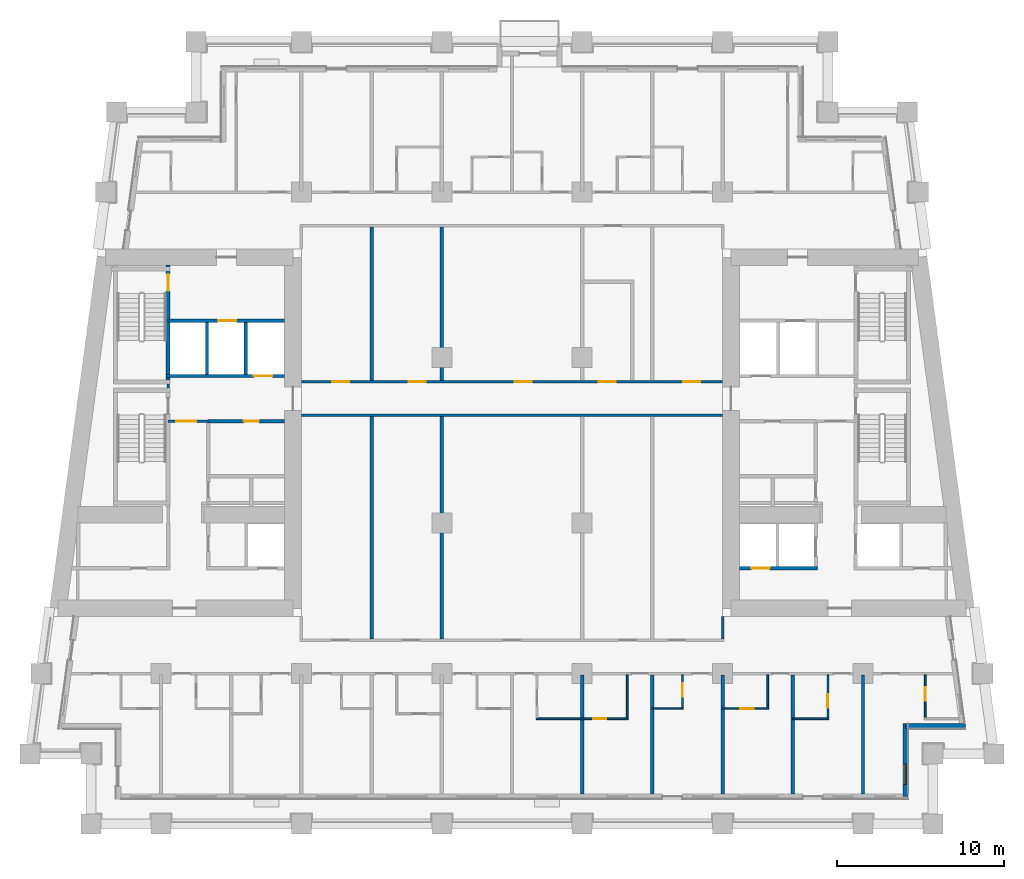
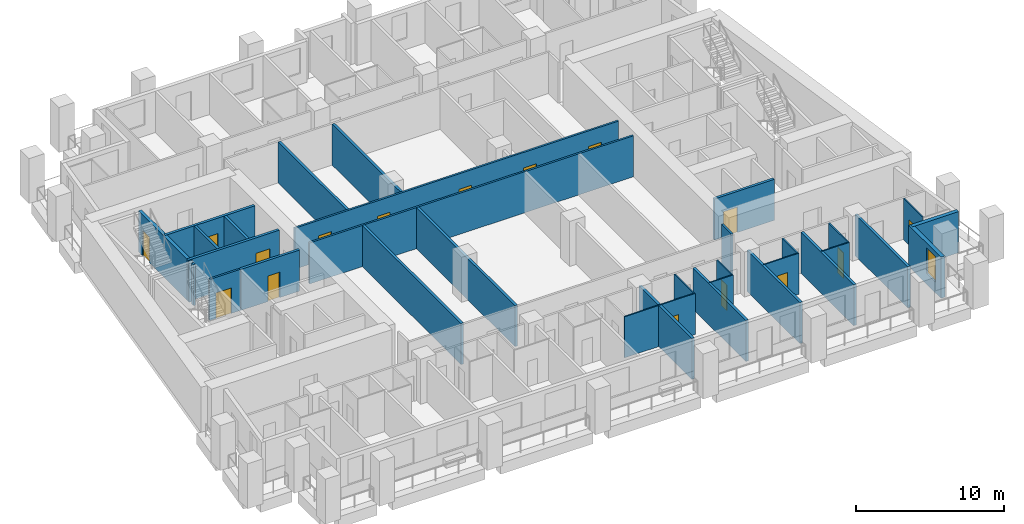
# One storey, part 5 of 14: 32 walls, 16 doors, 1 window, 17 openings.
"""IFC4 building model written with IfcOpenShell, lengths in metres."""

import ifcopenshell
import ifcopenshell.guid

model = None  # the IFC model being written
_history = None  # IfcOwnerHistory: only IFC2X3 demands one
_inside = {}  # id of a spatial element -> (the spatial element, [elements in it])
_under = {}  # id of a project, library or spatial element -> (it, [spatial elements below it])
_declared = {}  # id of a project -> (the project, [libraries it declares])
_typed = {}  # id of a type object -> (the type object, [elements of that type])
_made_of = {}  # id of a material, layer set ... -> (it, [elements and type objects made of it])


def new_model(schema):
    """Start an empty IFC model of exactly this schema.

    Asked for "IFC4X3", IfcOpenShell would pick the latest addendum, in which some entities
    have other attributes; the version numbers below select the first issue.
    IFC2X3 requires an IfcOwnerHistory on every rooted entity: one is made here for all.
    """
    global model, _history
    if schema == "IFC4X3":
        model = ifcopenshell.file(schema_version=(4, 3, 0, 0))
    else:
        model = ifcopenshell.file(schema=schema)
    _inside.clear()
    _under.clear()
    _declared.clear()
    _typed.clear()
    _made_of.clear()
    _history = None
    if model.schema == "IFC2X3":
        org = make("IfcOrganization", Name="unknown")
        user = make(
            "IfcPersonAndOrganization",
            ThePerson=make("IfcPerson", FamilyName="unknown"),
            TheOrganization=org,
        )
        app = make(
            "IfcApplication",
            ApplicationDeveloper=org,
            Version="unknown",
            ApplicationFullName="unknown",
            ApplicationIdentifier="unknown",
        )
        _history = make(
            "IfcOwnerHistory",
            OwningUser=user,
            OwningApplication=app,
            ChangeAction="ADDED",
            CreationDate=0,
        )
    return model


def make(cls, **values):
    """One entity of the class cls with the attributes given. An attribute that is None is left unset."""
    return model.create_entity(
        cls, **{name: value for name, value in values.items() if value is not None}
    )


def rooted(cls, **values):
    """An entity with a GlobalId (a new one), such as an element, a storey or a relation."""
    return make(cls, GlobalId=ifcopenshell.guid.new(), OwnerHistory=_history, **values)


def si_unit(unit_type, name, prefix=None):
    """IfcSIUnit, for example si_unit("LENGTHUNIT", "METRE", prefix="MILLI")."""
    return make("IfcSIUnit", UnitType=unit_type, Prefix=prefix, Name=name)


def assignment(units):
    """IfcUnitAssignment: the units of a project."""
    return None if units is None else make("IfcUnitAssignment", Units=units)


def point(xyz):
    """IfcCartesianPoint."""
    return None if xyz is None else make("IfcCartesianPoint", Coordinates=xyz)


def direction(xyz):
    """IfcDirection."""
    return None if xyz is None else make("IfcDirection", DirectionRatios=xyz)


def frame(location, z_axis=None, x_axis=None):
    """IfcAxis2Placement3D, a coordinate frame: its origin and axes. An axis left out is left unset."""
    return make(
        "IfcAxis2Placement3D",
        Location=point(location),
        Axis=direction(z_axis),
        RefDirection=direction(x_axis),
    )


def frame_2d(location, x_axis=None):
    """IfcAxis2Placement2D, a coordinate frame in the plane: its origin and x axis."""
    return make(
        "IfcAxis2Placement2D", Location=point(location), RefDirection=direction(x_axis)
    )


def origin():
    """The frame at (0, 0, 0) with its axes left unset."""
    return frame((0.0, 0.0, 0.0))


def place(relative_to, where):
    """IfcLocalPlacement: puts the frame where relative to a parent placement (None: the world)."""
    return make(
        "IfcLocalPlacement", PlacementRelTo=relative_to, RelativePlacement=where
    )


def context(
    kind, dimensions, precision=None, world=None, true_north=None, identifier=None
):
    """IfcGeometricRepresentationContext, for example the 3D "Model" context."""
    return make(
        "IfcGeometricRepresentationContext",
        ContextIdentifier=identifier,
        ContextType=kind,
        CoordinateSpaceDimension=dimensions,
        Precision=precision,
        WorldCoordinateSystem=world,
        TrueNorth=true_north,
    )


def subcontext(parent, identifier, kind, view, scale=None):
    """IfcGeometricRepresentationSubContext, for example "Body" below "Model"."""
    return make(
        "IfcGeometricRepresentationSubContext",
        ContextIdentifier=identifier,
        ContextType=kind,
        ParentContext=parent,
        TargetScale=scale,
        TargetView=view,
    )


def project(units=None, contexts=None):
    """IfcProject with its units and contexts."""
    return rooted(
        "IfcProject",
        Name="project",
        RepresentationContexts=contexts,
        UnitsInContext=assignment(units),
    )


def spatial(cls, under=None, at=None, **own):
    """A site, building, storey or space (cls), placed at a placement, below another one or the project."""
    s = rooted(cls, ObjectPlacement=at, **own)
    if under is not None:
        _under.setdefault(under.id(), (under, []))[1].append(s)
    return s


def profile(cls, at=None, kind="AREA", **sizes):
    """A parametric profile (cls). Its sizes go by their IFC names, for example OverallWidth=200.0."""
    return make(cls, ProfileType=kind, Position=at, **sizes)


def rectangle(**sizes):
    """IfcRectangleProfileDef."""
    return profile("IfcRectangleProfileDef", **sizes)


def extrude(swept, where, along, depth):
    """IfcExtrudedAreaSolid: the profile swept, set in the frame where, extruded along a direction by depth."""
    return make(
        "IfcExtrudedAreaSolid",
        SweptArea=swept,
        Position=where,
        ExtrudedDirection=direction(along),
        Depth=depth,
    )


def shape(context_of_items, identifier, shape_type, items):
    """IfcShapeRepresentation: the items that make up one representation, for example the "Body"."""
    return make(
        "IfcShapeRepresentation",
        ContextOfItems=context_of_items,
        RepresentationIdentifier=identifier,
        RepresentationType=shape_type,
        Items=items,
    )


def material(Name=None, Category=None):
    """IfcMaterial."""
    return make("IfcMaterial", Name=Name, Category=Category)


def layer(
    of_material, thickness, ventilated=None, Name=None, Category=None, Priority=None
):
    """IfcMaterialLayer: one layer of a wall or slab, of a material (None: an air gap)."""
    return make(
        "IfcMaterialLayer",
        Material=of_material,
        LayerThickness=thickness,
        IsVentilated=ventilated,
        Name=Name,
        Category=Category,
        Priority=Priority,
    )


def layer_set(layers, Name=None):
    """IfcMaterialLayerSet."""
    return make("IfcMaterialLayerSet", MaterialLayers=layers, LayerSetName=Name)


def made_of(thing, what):
    """Note that an element or type object is made of a material, layer set ...; save() writes the relation."""
    if what is not None:
        _made_of.setdefault(what.id(), (what, []))[1].append(thing)
    return thing


def type_object(cls, material=None, **own):
    """A type object (cls), such as IfcWallType, which elements share."""
    return made_of(rooted(cls, **own), material)


def element(
    cls,
    number,
    at=None,
    inside=None,
    cuts=None,
    type_object=None,
    material=None,
    context=None,
    identifier="Body",
    shape_type=None,
    held_by="IfcProductDefinitionShape",
    body=None,
    shapes=None,
    **own,
):
    """One element of the class cls, such as IfcWall. Its Tag is "e" and its number.

    at: its placement. inside: the storey or other place that contains it. cuts: it is an
    opening in that element (IfcRelVoidsElement). A single representation is given by context,
    identifier, shape_type and body (its items); several are given by shapes. held_by: the class
    of the entity that holds the representations. save() writes the other relations.
    """
    e = rooted(cls, Tag="e%d" % number, ObjectPlacement=at, **own)
    if body is not None:
        shapes = [shape(context, identifier, shape_type, body)]
    if shapes is not None:
        e.Representation = make(held_by, Representations=shapes)
    if inside is not None:
        _inside.setdefault(inside.id(), (inside, []))[1].append(e)
    if cuts is not None:
        rooted(
            "IfcRelVoidsElement", RelatingBuildingElement=cuts, RelatedOpeningElement=e
        )
    if type_object is not None:
        _typed.setdefault(type_object.id(), (type_object, []))[1].append(e)
    return made_of(e, material)


def fill(opening, filler):
    """IfcRelFillsElement: the door or window that sits in an opening."""
    return rooted(
        "IfcRelFillsElement",
        RelatingOpeningElement=opening,
        RelatedBuildingElement=filler,
    )


def aggregate(whole, parts):
    """IfcRelAggregates: a whole, such as a stair, and the parts it consists of."""
    return rooted("IfcRelAggregates", RelatingObject=whole, RelatedObjects=parts)


def save(model, path):
    """Write the relations noted so far, then the file.

    IfcRelAggregates (storeys below a building ...), IfcRelContainedInSpatialStructure (elements
    in a storey), IfcRelDefinesByType, IfcRelAssociatesMaterial and IfcRelDeclares: one each for
    every whole, place, type object, material and project.
    """
    for whole, parts in _under.values():
        aggregate(whole, parts)
    for where, things in _inside.values():
        rooted(
            "IfcRelContainedInSpatialStructure",
            RelatedElements=things,
            RelatingStructure=where,
        )
    for kind, things in _typed.values():
        rooted("IfcRelDefinesByType", RelatedObjects=things, RelatingType=kind)
    for what, things in _made_of.values():
        rooted("IfcRelAssociatesMaterial", RelatedObjects=things, RelatingMaterial=what)
    for by, libraries in _declared.values():
        rooted("IfcRelDeclares", RelatingContext=by, RelatedDefinitions=libraries)
    model.write(path)


model = new_model("IFC4")

# Units and contexts
model_context = context("Model", 3, precision=1e-05, world=origin(), true_north=direction((0.0, 1.0)))
body_context = subcontext(model_context, "Body", "Model", "MODEL_VIEW")
ifc_project = project(units=[si_unit("LENGTHUNIT", "METRE"), si_unit("AREAUNIT", "SQUARE_METRE"), si_unit("VOLUMEUNIT", "CUBIC_METRE"), si_unit("PLANEANGLEUNIT", "RADIAN"), si_unit("MASSUNIT", "GRAM", prefix="KILO")], contexts=[model_context])

# Site, building, storey
site_placement = place(None, origin())
site = spatial("IfcSite", under=ifc_project, at=site_placement, CompositionType="ELEMENT")
building_placement = place(site_placement, origin())
building = spatial("IfcBuilding", under=site, at=building_placement, Name="Candeia Pilgrim Tower and Theatre", CompositionType="ELEMENT")
storey_placement = place(building_placement, frame((0.0, 0.0, 124.300048828125)))
storey = spatial("IfcBuildingStorey", under=building, at=storey_placement, Name="L29", CompositionType="ELEMENT", Elevation=124.300048828125)

# Wall, opening, window
ifc_material_1 = material(Name="Ceramic block masonry", Category="masonry")
ifc_layer_1 = layer(ifc_material_1, 0.300048828125)
ifc_layer_set_1 = layer_set([ifc_layer_1], Name="EW1 glazing-line wall 300")
wall_type_1 = type_object("IfcWallType", Name="EW1 glazing-line wall 300", PredefinedType="SOLIDWALL", material=ifc_layer_set_1)
wall_1_placement = place(storey_placement, frame((136.949951171875, 99.64990234375, 0.0), z_axis=(0.0, 0.0, 1.0), x_axis=(0.0, 1.0, 0.0)))
wall_1 = element("IfcWall", 1, at=wall_1_placement, inside=storey, type_object=wall_type_1, Name="External wall L29-1.0", PredefinedType="SOLIDWALL", context=body_context, shape_type="SweptSolid", body=[
    extrude(rectangle(XDim=4.35009765625, YDim=0.300048828125, at=frame_2d((2.175048828125, 0.0))), origin(), (0.0, 0.0, 1.0), 3.3798828125),
])
opening_1_placement = place(wall_1_placement, frame((0.72509765625, 0.0, 0.89990234375)))
opening_1 = element("IfcOpeningElement", 2, at=opening_1_placement, cuts=wall_1, Name="Opening W-B", PredefinedType="OPENING", context=body_context, shape_type="SweptSolid", body=[
    extrude(rectangle(XDim=1.199951171875, YDim=2.10009765625, at=frame_2d((0.60009765625, 1.050048828125))), frame((0.0, 0.16015625, 0.0), z_axis=(0.0, -1.0, 0.0), x_axis=(1.0, 0.0, 0.0)), (0.0, 0.0, 1.0), 0.320068359375),
])
ifc_material_2 = material(Name="Aluminium framed double glazing", Category="aluminium")
window_type = type_object("IfcWindowType", Name="W-B window 1200x2100", PartitioningType="SINGLE_PANEL", PredefinedType="WINDOW", material=ifc_material_2)
window_placement = place(opening_1_placement, origin())
window = element("IfcWindow", 3, at=window_placement, inside=storey, type_object=window_type, Name="Window W-B L29", OverallHeight=2.10009765625, OverallWidth=1.199951171875, PartitioningType="SINGLE_PANEL", PredefinedType="WINDOW", context=body_context, shape_type="SweptSolid", body=[
    extrude(rectangle(XDim=1.199951171875, YDim=2.10009765625, at=frame_2d((0.60009765625, 1.050048828125))), frame((0.0, 0.030029296875, 0.0), z_axis=(0.0, -1.0, 0.0), x_axis=(1.0, 0.0, 0.0)), (0.0, 0.0, 1.0), 0.06005859375),
])
fill(opening_1, window)

# Wall
wall_2_placement = place(storey_placement, frame((136.949951171875, 103.85009765625, 0.0), z_axis=(0.0, 0.0, 1.0), x_axis=(1.0, 0.0, 0.0)))
element("IfcWall", 4, at=wall_2_placement, inside=storey, type_object=wall_type_1, Name="External wall L29-2.0", PredefinedType="SOLIDWALL", context=body_context, shape_type="SweptSolid", body=[
    extrude(rectangle(XDim=3.569091796875, YDim=0.300048828125, at=frame_2d((1.78466796875, 0.0))), origin(), (0.0, 0.0, 1.0), 3.3798828125),
])

# Wall, opening, door
ifc_material_3 = material(Name="Gypsum board partition on steel studs", Category="steel")
ifc_layer_2 = layer(ifc_material_3, 0.10009765625)
ifc_layer_set_2 = layer_set([ifc_layer_2], Name="PW-100 room partition")
wall_type_2 = type_object("IfcWallType", Name="PW-100 room partition", PredefinedType="PARTITIONING", material=ifc_layer_set_2)
wall_3_placement = place(storey_placement, frame((114.85009765625, 104.300048828125, 0.0), z_axis=(0.0, 0.0, 1.0), x_axis=(1.0, 0.0, 0.0)))
wall_3 = element("IfcWall", 5, at=wall_3_placement, inside=storey, type_object=wall_type_2, Name="Room partition L29-001", PredefinedType="PARTITIONING", context=body_context, shape_type="SweptSolid", body=[
    extrude(rectangle(XDim=5.5, YDim=0.10009765625, at=frame_2d((2.75, 0.0))), origin(), (0.0, 0.0, 1.0), 3.3798828125),
])
opening_2_placement = place(wall_3_placement, frame((3.39990234375, 0.0, 0.0)))
opening_2 = element("IfcOpeningElement", 6, at=opening_2_placement, cuts=wall_3, Name="Opening L29-D029", PredefinedType="OPENING", context=body_context, shape_type="SweptSolid", body=[
    extrude(rectangle(XDim=0.800048828125, YDim=2.10009765625, at=frame_2d((0.39990234375, 1.050048828125))), frame((0.0, 0.06005859375, 0.0), z_axis=(0.0, -1.0, 0.0), x_axis=(1.0, 0.0, 0.0)), (0.0, 0.0, 1.0), 0.1201171875),
])
ifc_material_4 = material(Name="Timber door leaf", Category="wood")
door_type_1 = type_object("IfcDoorType", Name="D-800", OperationType="NOTDEFINED", PredefinedType="DOOR", material=ifc_material_4)
door_1_placement = place(opening_2_placement, origin())
door_1 = element("IfcDoor", 7, at=door_1_placement, inside=storey, type_object=door_type_1, Name="Door L29-D029", OperationType="SINGLE_SWING_RIGHT", OverallHeight=2.10009765625, OverallWidth=0.800048828125, PredefinedType="DOOR", context=body_context, shape_type="SweptSolid", body=[
    extrude(rectangle(XDim=0.800048828125, YDim=2.10009765625, at=frame_2d((0.39990234375, 1.050048828125))), frame((0.0, 0.02490234375, 0.0), z_axis=(0.0, -1.0, 0.0), x_axis=(1.0, 0.0, 0.0)), (0.0, 0.0, 1.0), 0.050048828125),
])
fill(opening_2, door_1)

# Walls
wall_4_placement = place(storey_placement, frame((130.199951171875, 104.300048828125, 0.0), z_axis=(0.0, 0.0, 1.0), x_axis=(1.0, 0.0, 0.0)))
element("IfcWall", 8, at=wall_4_placement, inside=storey, type_object=wall_type_2, Name="Room partition L29-002", PredefinedType="PARTITIONING", context=body_context, shape_type="SweptSolid", body=[
    extrude(rectangle(XDim=2.150146484375, YDim=0.10009765625, at=frame_2d((1.0751953125, 0.0))), origin(), (0.0, 0.0, 1.0), 3.3798828125),
])
wall_5_placement = place(storey_placement, frame((121.800048828125, 104.89990234375, 0.0), z_axis=(0.0, 0.0, 1.0), x_axis=(1.0, 0.0, 0.0)))
element("IfcWall", 9, at=wall_5_placement, inside=storey, type_object=wall_type_2, Name="Room partition L29-010", PredefinedType="PARTITIONING", context=body_context, shape_type="SweptSolid", body=[
    extrude(rectangle(XDim=1.849853515625, YDim=0.10009765625, at=frame_2d((0.9248046875, 0.0))), origin(), (0.0, 0.0, 1.0), 3.3798828125),
])

# Wall, opening, door
wall_6_placement = place(storey_placement, frame((126.0, 104.89990234375, 0.0), z_axis=(0.0, 0.0, 1.0), x_axis=(1.0, 0.0, 0.0)))
wall_6 = element("IfcWall", 10, at=wall_6_placement, inside=storey, type_object=wall_type_2, Name="Room partition L29-011", PredefinedType="PARTITIONING", context=body_context, shape_type="SweptSolid", body=[
    extrude(rectangle(XDim=2.75, YDim=0.10009765625, at=frame_2d((1.375, 0.0))), origin(), (0.0, 0.0, 1.0), 3.3798828125),
])
opening_3_placement = place(wall_6_placement, frame((1.070068359375, 0.0, 0.0)))
opening_3 = element("IfcOpeningElement", 11, at=opening_3_placement, cuts=wall_6, Name="Opening L29-D033", PredefinedType="OPENING", context=body_context, shape_type="SweptSolid", body=[
    extrude(rectangle(XDim=0.800048828125, YDim=2.10009765625, at=frame_2d((0.39990234375, 1.050048828125))), frame((0.0, 0.06005859375, 0.0), z_axis=(0.0, -1.0, 0.0), x_axis=(1.0, 0.0, 0.0)), (0.0, 0.0, 1.0), 0.1201171875),
])
door_2_placement = place(opening_3_placement, origin())
door_2 = element("IfcDoor", 12, at=door_2_placement, inside=storey, type_object=door_type_1, Name="Door L29-D033", OperationType="SINGLE_SWING_RIGHT", OverallHeight=2.10009765625, OverallWidth=0.800048828125, PredefinedType="DOOR", context=body_context, shape_type="SweptSolid", body=[
    extrude(rectangle(XDim=0.800048828125, YDim=2.10009765625, at=frame_2d((0.39990234375, 1.050048828125))), frame((0.0, 0.02490234375, 0.0), z_axis=(0.0, -1.0, 0.0), x_axis=(1.0, 0.0, 0.0)), (0.0, 0.0, 1.0), 0.050048828125),
])
fill(opening_3, door_2)

# Wall
wall_7_placement = place(storey_placement, frame((120.300048828125, 104.35009765625, 0.0), z_axis=(0.0, 0.0, 1.0), x_axis=(0.0, 1.0, 0.0)))
element("IfcWall", 13, at=wall_7_placement, inside=storey, type_object=wall_type_2, Name="Room partition L29-103", PredefinedType="PARTITIONING", context=body_context, shape_type="SweptSolid", body=[
    extrude(rectangle(XDim=2.574951171875, YDim=0.10009765625, at=frame_2d((1.28759765625, 0.0))), origin(), (0.0, 0.0, 1.0), 3.3798828125),
])

# Wall, opening, door
wall_8_placement = place(storey_placement, frame((123.60009765625, 104.949951171875, 0.0), z_axis=(0.0, 0.0, 1.0), x_axis=(0.0, 1.0, 0.0)))
wall_8 = element("IfcWall", 14, at=wall_8_placement, inside=storey, type_object=wall_type_2, Name="Room partition L29-109", PredefinedType="PARTITIONING", context=body_context, shape_type="SweptSolid", body=[
    extrude(rectangle(XDim=1.97509765625, YDim=0.10009765625, at=frame_2d((0.987548828125, 0.0))), origin(), (0.0, 0.0, 1.0), 3.3798828125),
])
opening_4_placement = place(wall_8_placement, frame((0.659912109375, 0.0, 0.0)))
opening_4 = element("IfcOpeningElement", 15, at=opening_4_placement, cuts=wall_8, Name="Opening L29-D031", PredefinedType="OPENING", context=body_context, shape_type="SweptSolid", body=[
    extrude(rectangle(XDim=0.800048828125, YDim=2.10009765625, at=frame_2d((0.39990234375, 1.050048828125))), frame((0.0, 0.06005859375, 0.0), z_axis=(0.0, -1.0, 0.0), x_axis=(1.0, 0.0, 0.0)), (0.0, 0.0, 1.0), 0.1201171875),
])
door_3_placement = place(opening_4_placement, origin())
door_3 = element("IfcDoor", 16, at=door_3_placement, inside=storey, type_object=door_type_1, Name="Door L29-D031", OperationType="SINGLE_SWING_RIGHT", OverallHeight=2.10009765625, OverallWidth=0.800048828125, PredefinedType="DOOR", context=body_context, shape_type="SweptSolid", body=[
    extrude(rectangle(XDim=0.800048828125, YDim=2.10009765625, at=frame_2d((0.39990234375, 1.050048828125))), frame((0.0, 0.02490234375, 0.0), z_axis=(0.0, -1.0, 0.0), x_axis=(1.0, 0.0, 0.0)), (0.0, 0.0, 1.0), 0.050048828125),
])
fill(opening_4, door_3)

# Wall
wall_9_placement = place(storey_placement, frame((128.699951171875, 104.949951171875, 0.0), z_axis=(0.0, 0.0, 1.0), x_axis=(0.0, 1.0, 0.0)))
element("IfcWall", 17, at=wall_9_placement, inside=storey, type_object=wall_type_2, Name="Room partition L29-115", PredefinedType="PARTITIONING", context=body_context, shape_type="SweptSolid", body=[
    extrude(rectangle(XDim=1.97509765625, YDim=0.10009765625, at=frame_2d((0.987548828125, 0.0))), origin(), (0.0, 0.0, 1.0), 3.3798828125),
])

# Wall, opening, door
wall_10_placement = place(storey_placement, frame((132.300048828125, 104.35009765625, 0.0), z_axis=(0.0, 0.0, 1.0), x_axis=(0.0, 1.0, 0.0)))
wall_10 = element("IfcWall", 18, at=wall_10_placement, inside=storey, type_object=wall_type_2, Name="Room partition L29-125", PredefinedType="PARTITIONING", context=body_context, shape_type="SweptSolid", body=[
    extrude(rectangle(XDim=2.574951171875, YDim=0.10009765625, at=frame_2d((1.28759765625, 0.0))), origin(), (0.0, 0.0, 1.0), 3.3798828125),
])
opening_5_placement = place(wall_10_placement, frame((0.60009765625, 0.0, 0.0)))
opening_5 = element("IfcOpeningElement", 19, at=opening_5_placement, cuts=wall_10, Name="Opening L29-D035", PredefinedType="OPENING", context=body_context, shape_type="SweptSolid", body=[
    extrude(rectangle(XDim=0.800048828125, YDim=2.10009765625, at=frame_2d((0.39990234375, 1.050048828125))), frame((0.0, 0.06005859375, 0.0), z_axis=(0.0, -1.0, 0.0), x_axis=(1.0, 0.0, 0.0)), (0.0, 0.0, 1.0), 0.1201171875),
])
door_4_placement = place(opening_5_placement, origin())
door_4 = element("IfcDoor", 20, at=door_4_placement, inside=storey, type_object=door_type_1, Name="Door L29-D035", OperationType="SINGLE_SWING_RIGHT", OverallHeight=2.10009765625, OverallWidth=0.800048828125, PredefinedType="DOOR", context=body_context, shape_type="SweptSolid", body=[
    extrude(rectangle(XDim=0.800048828125, YDim=2.10009765625, at=frame_2d((0.39990234375, 1.050048828125))), frame((0.0, 0.02490234375, 0.0), z_axis=(0.0, -1.0, 0.0), x_axis=(1.0, 0.0, 0.0)), (0.0, 0.0, 1.0), 0.050048828125),
])
fill(opening_5, door_4)

wall_11_placement = place(storey_placement, frame((138.1201171875, 104.35009765625, 0.0), z_axis=(0.0, 0.0, 1.0), x_axis=(0.0, 1.0, 0.0)))
wall_11 = element("IfcWall", 21, at=wall_11_placement, inside=storey, type_object=wall_type_2, Name="Room partition L29-136", PredefinedType="PARTITIONING", context=body_context, shape_type="SweptSolid", body=[
    extrude(rectangle(XDim=2.574951171875, YDim=0.10009765625, at=frame_2d((1.28759765625, 0.0))), origin(), (0.0, 0.0, 1.0), 3.3798828125),
])
opening_6_placement = place(wall_11_placement, frame((1.02001953125, 0.0, 0.0)))
opening_6 = element("IfcOpeningElement", 22, at=opening_6_placement, cuts=wall_11, Name="Opening L29-D037", PredefinedType="OPENING", context=body_context, shape_type="SweptSolid", body=[
    extrude(rectangle(XDim=0.800048828125, YDim=2.10009765625, at=frame_2d((0.39990234375, 1.050048828125))), frame((0.0, 0.06005859375, 0.0), z_axis=(0.0, -1.0, 0.0), x_axis=(1.0, 0.0, 0.0)), (0.0, 0.0, 1.0), 0.1201171875),
])
door_5_placement = place(opening_6_placement, origin())
door_5 = element("IfcDoor", 23, at=door_5_placement, inside=storey, type_object=door_type_1, Name="Door L29-D037", OperationType="SINGLE_SWING_RIGHT", OverallHeight=2.10009765625, OverallWidth=0.800048828125, PredefinedType="DOOR", context=body_context, shape_type="SweptSolid", body=[
    extrude(rectangle(XDim=0.800048828125, YDim=2.10009765625, at=frame_2d((0.39990234375, 1.050048828125))), frame((0.0, 0.02490234375, 0.0), z_axis=(0.0, -1.0, 0.0), x_axis=(1.0, 0.0, 0.0)), (0.0, 0.0, 1.0), 0.050048828125),
])
fill(opening_6, door_5)

ifc_layer_3 = layer(ifc_material_3, 0.14990234375)
ifc_layer_set_3 = layer_set([ifc_layer_3], Name="PW-150 lobby wall")
wall_type_3 = type_object("IfcWallType", Name="PW-150 lobby wall", PredefinedType="PARTITIONING", material=ifc_layer_set_3)
wall_12_placement = place(storey_placement, frame((92.826904296875, 122.10009765625, 0.0), z_axis=(0.0, 0.0, 1.0), x_axis=(1.0, 0.0, 0.0)))
wall_12 = element("IfcWall", 24, at=wall_12_placement, inside=storey, type_object=wall_type_3, Name="Lobby wall L29-028", PredefinedType="PARTITIONING", context=body_context, shape_type="SweptSolid", body=[
    extrude(rectangle(XDim=2.400146484375, YDim=0.14990234375, at=frame_2d((1.2001953125, 0.0))), origin(), (0.0, 0.0, 1.0), 3.3798828125),
])
opening_7_placement = place(wall_12_placement, frame((0.47509765625, 0.0, 0.0)))
opening_7 = element("IfcOpeningElement", 25, at=opening_7_placement, cuts=wall_12, Name="Opening L29-D001", PredefinedType="OPENING", context=body_context, shape_type="SweptSolid", body=[
    extrude(rectangle(XDim=1.199951171875, YDim=2.10009765625, at=frame_2d((0.60009765625, 1.050048828125))), frame((0.0, 0.0849609375, 0.0), z_axis=(0.0, -1.0, 0.0), x_axis=(1.0, 0.0, 0.0)), (0.0, 0.0, 1.0), 0.169921875),
])
ifc_material_5 = material(Name="Steel fire door set", Category="steel")
door_type_2 = type_object("IfcDoorType", Name="D-1200-FD60", OperationType="NOTDEFINED", PredefinedType="DOOR", material=ifc_material_5)
door_6_placement = place(opening_7_placement, origin())
door_6 = element("IfcDoor", 26, at=door_6_placement, inside=storey, type_object=door_type_2, Name="Door L29-D001", OperationType="SINGLE_SWING_RIGHT", OverallHeight=2.10009765625, OverallWidth=1.199951171875, PredefinedType="DOOR", context=body_context, shape_type="SweptSolid", body=[
    extrude(rectangle(XDim=1.199951171875, YDim=2.10009765625, at=frame_2d((0.60009765625, 1.050048828125))), frame((0.0, 0.02490234375, 0.0), z_axis=(0.0, -1.0, 0.0), x_axis=(1.0, 0.0, 0.0)), (0.0, 0.0, 1.0), 0.050048828125),
])
fill(opening_7, door_6)

# Walls
wall_13_placement = place(storey_placement, frame((92.826904296875, 124.074951171875, 0.0), z_axis=(0.0, 0.0, 1.0), x_axis=(0.0, 1.0, 0.0)))
element("IfcWall", 27, at=wall_13_placement, inside=storey, type_object=wall_type_3, Name="Lobby wall L29-062", PredefinedType="PARTITIONING", context=body_context, shape_type="SweptSolid", body=[
    extrude(rectangle(XDim=0.25, YDim=0.14990234375, at=frame_2d((0.125, 0.0))), origin(), (0.0, 0.0, 1.0), 3.3798828125),
])
ifc_layer_4 = layer(ifc_material_3, 0.14990234375)
ifc_layer_set_4 = layer_set([ifc_layer_4], Name="PW-150 unit wall")
wall_type_4 = type_object("IfcWallType", Name="PW-150 unit wall", PredefinedType="PARTITIONING", material=ifc_layer_set_4)
wall_14_placement = place(storey_placement, frame((100.800048828125, 122.449951171875, 0.0), z_axis=(0.0, 0.0, 1.0), x_axis=(1.0, 0.0, 0.0)))
element("IfcWall", 28, at=wall_14_placement, inside=storey, type_object=wall_type_4, Name="Unit wall L29-030", PredefinedType="PARTITIONING", context=body_context, shape_type="SweptSolid", body=[
    extrude(rectangle(XDim=25.199951171875, YDim=0.14990234375, at=frame_2d((12.60009765625, 0.0))), origin(), (0.0, 0.0, 1.0), 3.3798828125),
])

# Wall, openings, doors
wall_15_placement = place(storey_placement, frame((100.800048828125, 124.449951171875, 0.0), z_axis=(0.0, 0.0, 1.0), x_axis=(1.0, 0.0, 0.0)))
wall_15 = element("IfcWall", 29, at=wall_15_placement, inside=storey, type_object=wall_type_4, Name="Unit wall L29-035", PredefinedType="PARTITIONING", context=body_context, shape_type="SweptSolid", body=[
    extrude(rectangle(XDim=25.199951171875, YDim=0.14990234375, at=frame_2d((12.60009765625, 0.0))), origin(), (0.0, 0.0, 1.0), 3.3798828125),
])
opening_8_placement = place(wall_15_placement, frame((1.85009765625, 0.0, 0.0)))
opening_8 = element("IfcOpeningElement", 30, at=opening_8_placement, cuts=wall_15, Name="Opening L29-D061", PredefinedType="OPENING", context=body_context, shape_type="SweptSolid", body=[
    extrude(rectangle(XDim=1.0, YDim=2.10009765625, at=frame_2d((0.5, 1.050048828125))), frame((0.0, 0.0849609375, 0.0), z_axis=(0.0, -1.0, 0.0), x_axis=(1.0, 0.0, 0.0)), (0.0, 0.0, 1.0), 0.169921875),
])
opening_9_placement = place(wall_15_placement, frame((6.425048828125, 0.0, 0.0)))
opening_9 = element("IfcOpeningElement", 31, at=opening_9_placement, cuts=wall_15, Name="Opening L29-D062", PredefinedType="OPENING", context=body_context, shape_type="SweptSolid", body=[
    extrude(rectangle(XDim=1.0, YDim=2.10009765625, at=frame_2d((0.5, 1.050048828125))), frame((0.0, 0.0849609375, 0.0), z_axis=(0.0, -1.0, 0.0), x_axis=(1.0, 0.0, 0.0)), (0.0, 0.0, 1.0), 0.169921875),
])
opening_10_placement = place(wall_15_placement, frame((12.77001953125, 0.0, 0.0)))
opening_10 = element("IfcOpeningElement", 32, at=opening_10_placement, cuts=wall_15, Name="Opening L29-D063", PredefinedType="OPENING", context=body_context, shape_type="SweptSolid", body=[
    extrude(rectangle(XDim=1.0, YDim=2.10009765625, at=frame_2d((0.5, 1.050048828125))), frame((0.0, 0.0849609375, 0.0), z_axis=(0.0, -1.0, 0.0), x_axis=(1.0, 0.0, 0.0)), (0.0, 0.0, 1.0), 0.169921875),
])
opening_11_placement = place(wall_15_placement, frame((17.800048828125, 0.0, 0.0)))
opening_11 = element("IfcOpeningElement", 33, at=opening_11_placement, cuts=wall_15, Name="Opening L29-D064", PredefinedType="OPENING", context=body_context, shape_type="SweptSolid", body=[
    extrude(rectangle(XDim=1.0, YDim=2.10009765625, at=frame_2d((0.5, 1.050048828125))), frame((0.0, 0.0849609375, 0.0), z_axis=(0.0, -1.0, 0.0), x_axis=(1.0, 0.0, 0.0)), (0.0, 0.0, 1.0), 0.169921875),
])
opening_12_placement = place(wall_15_placement, frame((22.85009765625, 0.0, 0.0)))
opening_12 = element("IfcOpeningElement", 34, at=opening_12_placement, cuts=wall_15, Name="Opening L29-D065", PredefinedType="OPENING", context=body_context, shape_type="SweptSolid", body=[
    extrude(rectangle(XDim=1.0, YDim=2.10009765625, at=frame_2d((0.5, 1.050048828125))), frame((0.0, 0.0849609375, 0.0), z_axis=(0.0, -1.0, 0.0), x_axis=(1.0, 0.0, 0.0)), (0.0, 0.0, 1.0), 0.169921875),
])
door_type_3 = type_object("IfcDoorType", Name="D-1000-FD30S", OperationType="NOTDEFINED", PredefinedType="DOOR", material=ifc_material_5)
door_7_placement = place(opening_8_placement, origin())
door_7 = element("IfcDoor", 35, at=door_7_placement, inside=storey, type_object=door_type_3, Name="Door L29-D061", OperationType="SINGLE_SWING_RIGHT", OverallHeight=2.10009765625, OverallWidth=1.0, PredefinedType="DOOR", context=body_context, shape_type="SweptSolid", body=[
    extrude(rectangle(XDim=1.0, YDim=2.10009765625, at=frame_2d((0.5, 1.050048828125))), frame((0.0, 0.02490234375, 0.0), z_axis=(0.0, -1.0, 0.0), x_axis=(1.0, 0.0, 0.0)), (0.0, 0.0, 1.0), 0.050048828125),
])
fill(opening_8, door_7)
door_8_placement = place(opening_9_placement, origin())
door_8 = element("IfcDoor", 36, at=door_8_placement, inside=storey, type_object=door_type_3, Name="Door L29-D062", OperationType="SINGLE_SWING_LEFT", OverallHeight=2.10009765625, OverallWidth=1.0, PredefinedType="DOOR", context=body_context, shape_type="SweptSolid", body=[
    extrude(rectangle(XDim=1.0, YDim=2.10009765625, at=frame_2d((0.5, 1.050048828125))), frame((0.0, 0.02490234375, 0.0), z_axis=(0.0, -1.0, 0.0), x_axis=(1.0, 0.0, 0.0)), (0.0, 0.0, 1.0), 0.050048828125),
])
fill(opening_9, door_8)
door_9_placement = place(opening_10_placement, origin())
door_9 = element("IfcDoor", 37, at=door_9_placement, inside=storey, type_object=door_type_3, Name="Door L29-D063", OperationType="SINGLE_SWING_RIGHT", OverallHeight=2.10009765625, OverallWidth=1.0, PredefinedType="DOOR", context=body_context, shape_type="SweptSolid", body=[
    extrude(rectangle(XDim=1.0, YDim=2.10009765625, at=frame_2d((0.5, 1.050048828125))), frame((0.0, 0.02490234375, 0.0), z_axis=(0.0, -1.0, 0.0), x_axis=(1.0, 0.0, 0.0)), (0.0, 0.0, 1.0), 0.050048828125),
])
fill(opening_10, door_9)
door_10_placement = place(opening_11_placement, origin())
door_10 = element("IfcDoor", 38, at=door_10_placement, inside=storey, type_object=door_type_3, Name="Door L29-D064", OperationType="SINGLE_SWING_LEFT", OverallHeight=2.10009765625, OverallWidth=1.0, PredefinedType="DOOR", context=body_context, shape_type="SweptSolid", body=[
    extrude(rectangle(XDim=1.0, YDim=2.10009765625, at=frame_2d((0.5, 1.050048828125))), frame((0.0, 0.02490234375, 0.0), z_axis=(0.0, -1.0, 0.0), x_axis=(1.0, 0.0, 0.0)), (0.0, 0.0, 1.0), 0.050048828125),
])
fill(opening_11, door_10)
door_11_placement = place(opening_12_placement, origin())
door_11 = element("IfcDoor", 39, at=door_11_placement, inside=storey, type_object=door_type_3, Name="Door L29-D065", OperationType="SINGLE_SWING_RIGHT", OverallHeight=2.10009765625, OverallWidth=1.0, PredefinedType="DOOR", context=body_context, shape_type="SweptSolid", body=[
    extrude(rectangle(XDim=1.0, YDim=2.10009765625, at=frame_2d((0.5, 1.050048828125))), frame((0.0, 0.02490234375, 0.0), z_axis=(0.0, -1.0, 0.0), x_axis=(1.0, 0.0, 0.0)), (0.0, 0.0, 1.0), 0.050048828125),
])
fill(opening_12, door_11)

# Walls
wall_16_placement = place(storey_placement, frame((126.0, 109.074951171875, 0.0), z_axis=(0.0, 0.0, 1.0), x_axis=(0.0, 1.0, 0.0)))
element("IfcWall", 40, at=wall_16_placement, inside=storey, type_object=wall_type_4, Name="Unit wall L29-113", PredefinedType="PARTITIONING", context=body_context, shape_type="SweptSolid", body=[
    extrude(rectangle(XDim=1.324951171875, YDim=0.14990234375, at=frame_2d((0.66259765625, 0.0))), origin(), (0.0, 0.0, 1.0), 3.3798828125),
])
ifc_layer_5 = layer(ifc_material_3, 0.199951171875)
ifc_layer_set_5 = layer_set([ifc_layer_5], Name="PW-200 party wall")
wall_type_5 = type_object("IfcWallType", Name="PW-200 party wall", PredefinedType="PARTITIONING", material=ifc_layer_set_5)
wall_17_placement = place(storey_placement, frame((105.0, 109.074951171875, 0.0), z_axis=(0.0, 0.0, 1.0), x_axis=(0.0, 1.0, 0.0)))
element("IfcWall", 41, at=wall_17_placement, inside=storey, type_object=wall_type_5, Name="Party wall L29-083", PredefinedType="PARTITIONING", context=body_context, shape_type="SweptSolid", body=[
    extrude(rectangle(XDim=13.300048828125, YDim=0.199951171875, at=frame_2d((6.64990234375, 0.0))), origin(), (0.0, 0.0, 1.0), 3.3798828125),
])
wall_18_placement = place(storey_placement, frame((105.0, 124.52490234375, 0.0), z_axis=(0.0, 0.0, 1.0), x_axis=(0.0, 1.0, 0.0)))
element("IfcWall", 42, at=wall_18_placement, inside=storey, type_object=wall_type_5, Name="Party wall L29-084", PredefinedType="PARTITIONING", context=body_context, shape_type="SweptSolid", body=[
    extrude(rectangle(XDim=9.2001953125, YDim=0.199951171875, at=frame_2d((4.60009765625, 0.0))), origin(), (0.0, 0.0, 1.0), 3.3798828125),
])
wall_19_placement = place(storey_placement, frame((109.199951171875, 109.074951171875, 0.0), z_axis=(0.0, 0.0, 1.0), x_axis=(0.0, 1.0, 0.0)))
element("IfcWall", 43, at=wall_19_placement, inside=storey, type_object=wall_type_5, Name="Party wall L29-089", PredefinedType="PARTITIONING", context=body_context, shape_type="SweptSolid", body=[
    extrude(rectangle(XDim=13.300048828125, YDim=0.199951171875, at=frame_2d((6.64990234375, 0.0))), origin(), (0.0, 0.0, 1.0), 3.3798828125),
])
wall_20_placement = place(storey_placement, frame((109.199951171875, 124.52490234375, 0.0), z_axis=(0.0, 0.0, 1.0), x_axis=(0.0, 1.0, 0.0)))
element("IfcWall", 44, at=wall_20_placement, inside=storey, type_object=wall_type_5, Name="Party wall L29-090", PredefinedType="PARTITIONING", context=body_context, shape_type="SweptSolid", body=[
    extrude(rectangle(XDim=9.2001953125, YDim=0.199951171875, at=frame_2d((4.60009765625, 0.0))), origin(), (0.0, 0.0, 1.0), 3.3798828125),
])
for number, where, z_axis, x_axis, name in (
    (45, (117.60009765625, 99.7900390625, 0.0), (0.0, 0.0, 1.0), (0.0, 1.0, 0.0), "Party wall L29-098"),
    (46, (121.800048828125, 99.7900390625, 0.0), (0.0, 0.0, 1.0), (0.0, 1.0, 0.0), "Party wall L29-105"),
    (47, (126.0, 99.7900390625, 0.0), (0.0, 0.0, 1.0), (0.0, 1.0, 0.0), "Party wall L29-111"),
    (48, (130.199951171875, 99.7900390625, 0.0), (0.0, 0.0, 1.0), (0.0, 1.0, 0.0), "Party wall L29-120"),
    (49, (134.39990234375, 99.7900390625, 0.0), (0.0, 0.0, 1.0), (0.0, 1.0, 0.0), "Party wall L29-132"),
):
    element("IfcWall", number, at=place(storey_placement, frame(where, z_axis=z_axis, x_axis=x_axis)), inside=storey, type_object=wall_type_5, Name=name, PredefinedType="PARTITIONING", context=body_context, shape_type="SweptSolid", body=[
        extrude(rectangle(XDim=7.135009765625, YDim=0.199951171875, at=frame_2d((3.5673828125, 0.0))), origin(), (0.0, 0.0, 1.0), 3.3798828125),
    ])

# Wall, opening, door
ifc_material_6 = material(Name="Concrete C40/50", Category="concrete")
ifc_layer_6 = layer(ifc_material_6, 0.199951171875)
ifc_layer_set_6 = layer_set([ifc_layer_6], Name="SW-200 shaft wall")
wall_type_6 = type_object("IfcWallType", Name="SW-200 shaft wall", PredefinedType="PARTITIONING", material=ifc_layer_set_6)
wall_21_placement = place(storey_placement, frame((127.0, 113.300048828125, 0.0), z_axis=(0.0, 0.0, 1.0), x_axis=(1.0, 0.0, 0.0)))
wall_21 = element("IfcWall", 50, at=wall_21_placement, inside=storey, type_object=wall_type_6, Name="Shaft wall L29-016", PredefinedType="PARTITIONING", context=body_context, shape_type="SweptSolid", body=[
    extrude(rectangle(XDim=4.673095703125, YDim=0.199951171875, at=frame_2d((2.33642578125, 0.0))), origin(), (0.0, 0.0, 1.0), 3.3798828125),
])
opening_13_placement = place(wall_21_placement, frame((0.715087890625, 0.0, 0.0)))
opening_13 = element("IfcOpeningElement", 51, at=opening_13_placement, cuts=wall_21, Name="Opening L29-LD08", PredefinedType="OPENING", context=body_context, shape_type="SweptSolid", body=[
    extrude(rectangle(XDim=1.10009765625, YDim=2.10009765625, at=frame_2d((0.550048828125, 1.050048828125))), frame((0.0, 0.10986328125, 0.0), z_axis=(0.0, -1.0, 0.0), x_axis=(1.0, 0.0, 0.0)), (0.0, 0.0, 1.0), 0.219970703125),
])
ifc_material_7 = material(Name="Glazed aluminium landing door", Category="aluminium")
door_type_4 = type_object("IfcDoorType", Name="LD-1100-EI120", OperationType="SLIDING_TO_LEFT", PredefinedType="DOOR", material=ifc_material_7)
door_12_placement = place(opening_13_placement, origin())
door_12 = element("IfcDoor", 52, at=door_12_placement, inside=storey, type_object=door_type_4, Name="Landing door 08 L29", OperationType="SLIDING_TO_LEFT", OverallHeight=2.10009765625, OverallWidth=1.10009765625, PredefinedType="DOOR", context=body_context, shape_type="SweptSolid", body=[
    extrude(rectangle(XDim=1.10009765625, YDim=2.10009765625, at=frame_2d((0.550048828125, 1.050048828125))), frame((0.0, 0.02490234375, 0.0), z_axis=(0.0, -1.0, 0.0), x_axis=(1.0, 0.0, 0.0)), (0.0, 0.0, 1.0), 0.050048828125),
])
fill(opening_13, door_12)

wall_22_placement = place(storey_placement, frame((95.22705078125, 122.10009765625, 0.0), z_axis=(0.0, 0.0, 1.0), x_axis=(1.0, 0.0, 0.0)))
wall_22 = element("IfcWall", 53, at=wall_22_placement, inside=storey, type_object=wall_type_6, Name="Shaft wall L29-026", PredefinedType="PARTITIONING", context=body_context, shape_type="SweptSolid", body=[
    extrude(rectangle(XDim=4.572998046875, YDim=0.199951171875, at=frame_2d((2.28662109375, 0.0))), origin(), (0.0, 0.0, 1.0), 3.3798828125),
])
opening_14_placement = place(wall_22_placement, frame((2.134033203125, 0.0, 0.0)))
opening_14 = element("IfcOpeningElement", 54, at=opening_14_placement, cuts=wall_22, Name="Opening L29-D002", PredefinedType="OPENING", context=body_context, shape_type="SweptSolid", body=[
    extrude(rectangle(XDim=0.89990234375, YDim=2.10009765625, at=frame_2d((0.449951171875, 1.050048828125))), frame((0.0, 0.10986328125, 0.0), z_axis=(0.0, -1.0, 0.0), x_axis=(1.0, 0.0, 0.0)), (0.0, 0.0, 1.0), 0.219970703125),
])
door_type_5 = type_object("IfcDoorType", Name="D-900-FD60", OperationType="NOTDEFINED", PredefinedType="DOOR", material=ifc_material_5)
door_13_placement = place(opening_14_placement, origin())
door_13 = element("IfcDoor", 55, at=door_13_placement, inside=storey, type_object=door_type_5, Name="Door L29-D002", OperationType="SINGLE_SWING_LEFT", OverallHeight=2.10009765625, OverallWidth=0.89990234375, PredefinedType="DOOR", context=body_context, shape_type="SweptSolid", body=[
    extrude(rectangle(XDim=0.89990234375, YDim=2.10009765625, at=frame_2d((0.449951171875, 1.050048828125))), frame((0.0, 0.02490234375, 0.0), z_axis=(0.0, -1.0, 0.0), x_axis=(1.0, 0.0, 0.0)), (0.0, 0.0, 1.0), 0.050048828125),
])
fill(opening_14, door_13)

wall_23_placement = place(storey_placement, frame((92.701904296875, 124.800048828125, 0.0), z_axis=(0.0, 0.0, 1.0), x_axis=(1.0, 0.0, 0.0)))
wall_23 = element("IfcWall", 56, at=wall_23_placement, inside=storey, type_object=wall_type_6, Name="Shaft wall L29-036", PredefinedType="PARTITIONING", context=body_context, shape_type="SweptSolid", body=[
    extrude(rectangle(XDim=7.09814453125, YDim=0.199951171875, at=frame_2d((3.549072265625, 0.0))), origin(), (0.0, 0.0, 1.0), 3.3798828125),
])
opening_15_placement = place(wall_23_placement, frame((5.2548828125, 0.0, 0.0)))
opening_15 = element("IfcOpeningElement", 57, at=opening_15_placement, cuts=wall_23, Name="Opening L29-LD02", PredefinedType="OPENING", context=body_context, shape_type="SweptSolid", body=[
    extrude(rectangle(XDim=1.10009765625, YDim=2.10009765625, at=frame_2d((0.550048828125, 1.050048828125))), frame((0.0, 0.10986328125, 0.0), z_axis=(0.0, -1.0, 0.0), x_axis=(1.0, 0.0, 0.0)), (0.0, 0.0, 1.0), 0.219970703125),
])
door_14_placement = place(opening_15_placement, origin())
door_14 = element("IfcDoor", 58, at=door_14_placement, inside=storey, type_object=door_type_4, Name="Landing door 02 L29", OperationType="SLIDING_TO_LEFT", OverallHeight=2.10009765625, OverallWidth=1.10009765625, PredefinedType="DOOR", context=body_context, shape_type="SweptSolid", body=[
    extrude(rectangle(XDim=1.10009765625, YDim=2.10009765625, at=frame_2d((0.550048828125, 1.050048828125))), frame((0.0, 0.02490234375, 0.0), z_axis=(0.0, -1.0, 0.0), x_axis=(1.0, 0.0, 0.0)), (0.0, 0.0, 1.0), 0.050048828125),
])
fill(opening_15, door_14)

wall_24_placement = place(storey_placement, frame((92.826904296875, 128.10009765625, 0.0), z_axis=(0.0, 0.0, 1.0), x_axis=(1.0, 0.0, 0.0)))
wall_24 = element("IfcWall", 59, at=wall_24_placement, inside=storey, type_object=wall_type_6, Name="Shaft wall L29-039", PredefinedType="PARTITIONING", context=body_context, shape_type="SweptSolid", body=[
    extrude(rectangle(XDim=6.97314453125, YDim=0.199951171875, at=frame_2d((3.486572265625, 0.0))), origin(), (0.0, 0.0, 1.0), 3.3798828125),
])
opening_16_placement = place(wall_24_placement, frame((2.989013671875, 0.0, 0.0)))
opening_16 = element("IfcOpeningElement", 60, at=opening_16_placement, cuts=wall_24, Name="Opening L29-LD01", PredefinedType="OPENING", context=body_context, shape_type="SweptSolid", body=[
    extrude(rectangle(XDim=1.10009765625, YDim=2.10009765625, at=frame_2d((0.550048828125, 1.050048828125))), frame((0.0, 0.10986328125, 0.0), z_axis=(0.0, -1.0, 0.0), x_axis=(1.0, 0.0, 0.0)), (0.0, 0.0, 1.0), 0.219970703125),
])
door_15_placement = place(opening_16_placement, origin())
door_15 = element("IfcDoor", 61, at=door_15_placement, inside=storey, type_object=door_type_4, Name="Landing door 01 L29", OperationType="SLIDING_TO_LEFT", OverallHeight=2.10009765625, OverallWidth=1.10009765625, PredefinedType="DOOR", context=body_context, shape_type="SweptSolid", body=[
    extrude(rectangle(XDim=1.10009765625, YDim=2.10009765625, at=frame_2d((0.550048828125, 1.050048828125))), frame((0.0, 0.02490234375, 0.0), z_axis=(0.0, -1.0, 0.0), x_axis=(1.0, 0.0, 0.0)), (0.0, 0.0, 1.0), 0.050048828125),
])
fill(opening_16, door_15)

# Walls
for number, where, z_axis, x_axis, name in (
    (62, (95.1513671875, 124.89990234375, 0.0), (0.0, 0.0, 1.0), (0.0, 1.0, 0.0), "Shaft wall L29-068"),
    (63, (97.4755859375, 124.89990234375, 0.0), (0.0, 0.0, 1.0), (0.0, 1.0, 0.0), "Shaft wall L29-073"),
):
    element("IfcWall", number, at=place(storey_placement, frame(where, z_axis=z_axis, x_axis=x_axis)), inside=storey, type_object=wall_type_6, Name=name, PredefinedType="PARTITIONING", context=body_context, shape_type="SweptSolid", body=[
        extrude(rectangle(XDim=3.10009765625, YDim=0.199951171875, at=frame_2d((1.550048828125, 0.0))), origin(), (0.0, 0.0, 1.0), 3.3798828125),
    ])

# Wall, opening, door
ifc_layer_7 = layer(ifc_material_6, 0.25)
ifc_layer_set_7 = layer_set([ifc_layer_7], Name="SW-250 stair wall")
wall_type_7 = type_object("IfcWallType", Name="SW-250 stair wall", PredefinedType="PARTITIONING", material=ifc_layer_set_7)
wall_25_placement = place(storey_placement, frame((92.826904296875, 124.574951171875, 0.0), z_axis=(0.0, 0.0, 1.0), x_axis=(0.0, 1.0, 0.0)))
wall_25 = element("IfcWall", 64, at=wall_25_placement, inside=storey, type_object=wall_type_7, Name="Stair wall L29-064", PredefinedType="PARTITIONING", context=body_context, shape_type="SweptSolid", body=[
    extrude(rectangle(XDim=6.85498046875, YDim=0.25, at=frame_2d((3.427490234375, 0.0))), origin(), (0.0, 0.0, 1.0), 3.3798828125),
])
opening_17_placement = place(wall_25_placement, frame((5.324951171875, 0.0, 0.0)))
opening_17 = element("IfcOpeningElement", 65, at=opening_17_placement, cuts=wall_25, Name="Opening L29-D004", PredefinedType="OPENING", context=body_context, shape_type="SweptSolid", body=[
    extrude(rectangle(XDim=1.0, YDim=2.10009765625, at=frame_2d((0.5, 1.050048828125))), frame((0.0, 0.135009765625, 0.0), z_axis=(0.0, -1.0, 0.0), x_axis=(1.0, 0.0, 0.0)), (0.0, 0.0, 1.0), 0.27001953125),
])
door_type_6 = type_object("IfcDoorType", Name="D-1000-FD60", OperationType="NOTDEFINED", PredefinedType="DOOR", material=ifc_material_5)
door_16_placement = place(opening_17_placement, origin())
door_16 = element("IfcDoor", 66, at=door_16_placement, inside=storey, type_object=door_type_6, Name="Door L29-D004", OperationType="SINGLE_SWING_LEFT", OverallHeight=2.10009765625, OverallWidth=1.0, PredefinedType="DOOR", context=body_context, shape_type="SweptSolid", body=[
    extrude(rectangle(XDim=1.0, YDim=2.10009765625, at=frame_2d((0.5, 1.050048828125))), frame((0.0, 0.02490234375, 0.0), z_axis=(0.0, -1.0, 0.0), x_axis=(1.0, 0.0, 0.0)), (0.0, 0.0, 1.0), 0.050048828125),
])
fill(opening_17, door_16)

save(model, "model.ifc")
